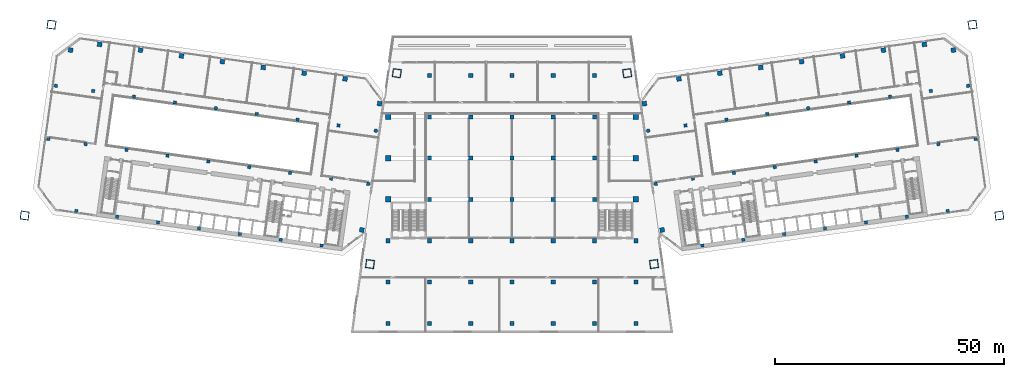
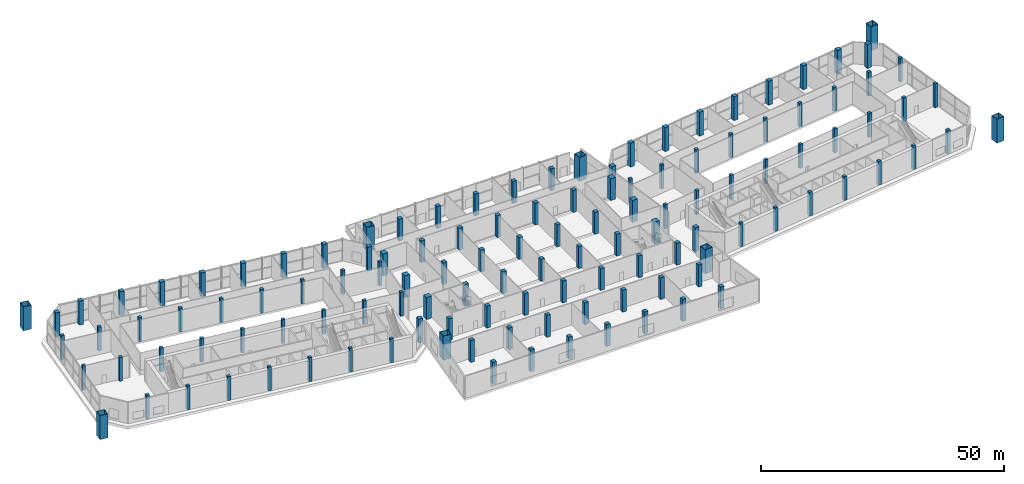
# One storey, part 1 of 24: 125 columns.
"""IFC4 building model written with IfcOpenShell, lengths in metres."""

from ifc_helpers import new_model, si_unit, direction, frame, origin, origin_2d, place, context, subcontext, project, spatial, rectangle, hollow_rectangle, extrude, material, material_profile, profile_set, type_object, element, save


model = new_model("IFC4")

# Units and contexts
model_context = context("Model", 3, precision=1e-05, world=origin(), true_north=direction((0.0, 1.0)))
body_context = subcontext(model_context, "Body", "Model", "MODEL_VIEW")
ifc_project = project(units=[si_unit("LENGTHUNIT", "METRE"), si_unit("AREAUNIT", "SQUARE_METRE"), si_unit("VOLUMEUNIT", "CUBIC_METRE"), si_unit("PLANEANGLEUNIT", "RADIAN"), si_unit("MASSUNIT", "GRAM", prefix="KILO")], contexts=[model_context])

# Site, building, storey
site_placement = place(None, origin())
site = spatial("IfcSite", under=ifc_project, at=site_placement, CompositionType="ELEMENT")
building_placement = place(site_placement, origin())
building = spatial("IfcBuilding", under=site, at=building_placement, Name="Mirante Cascada Hotel Towers", CompositionType="ELEMENT")
storey_placement = place(building_placement, frame((0.0, 0.0, 17.5)))
storey = spatial("IfcBuildingStorey", under=building, at=storey_placement, Name="L02", CompositionType="ELEMENT", Elevation=17.5)

# Columns
ifc_material_1 = material(Name="Steel ASTM A572 Gr 50", Category="steel")
ifc_material_profile_1 = material_profile(ifc_material_1, hollow_rectangle(XDim=1.8, YDim=1.8, WallThickness=0.08, at=origin_2d()), Name="Box column 1800x1800x80 ASTM A572 Gr 50")
ifc_profile_set_1 = profile_set([ifc_material_profile_1], Name="Steel ASTM A572 Gr 50")
column_type_1 = type_object("IfcColumnType", Name="Box column 1800x1800x80 ASTM A572 Gr 50", PredefinedType="COLUMN", material=ifc_profile_set_1)
for number, where, z_axis, x_axis, name in (
    (1, (-25.0968, 18.5173, 0.0), (0.0, 0.0, 1.0), (-0.9902681, 0.1391731, 0.0), "Mega column MC1 T1 L02"),
    (2, (-30.9421, -23.074, 0.0), (0.0, 0.0, 1.0), (-0.9902681, 0.1391731, 0.0), "Mega column MC2 T1 L02"),
    (3, (-100.3572, 29.0944, 0.0), (0.0, 0.0, 1.0), (-0.9902681, 0.1391731, 0.0), "Mega column MC3 T1 L02"),
    (4, (-106.2025, -12.4968, 0.0), (0.0, 0.0, 1.0), (-0.9902681, 0.1391731, 0.0), "Mega column MC4 T1 L02"),
    (5, (25.0968, 18.5173, 0.0), (0.0, 0.0, 1.0), (0.9902681, 0.1391731, 0.0), "Mega column MC1 T2 L02"),
    (6, (30.9421, -23.074, 0.0), (0.0, 0.0, 1.0), (0.9902681, 0.1391731, 0.0), "Mega column MC2 T2 L02"),
    (7, (100.3572, 29.0944, 0.0), (0.0, 0.0, 1.0), (0.9902681, 0.1391731, 0.0), "Mega column MC3 T2 L02"),
    (8, (106.2025, -12.4968, 0.0), (0.0, 0.0, 1.0), (0.9902681, 0.1391731, 0.0), "Mega column MC4 T2 L02"),
):
    element("IfcColumn", number, at=place(storey_placement, frame(where, z_axis=z_axis, x_axis=x_axis)), inside=storey, type_object=column_type_1, Name=name, PredefinedType="COLUMN", context=body_context, shape_type="SweptSolid", body=[
        extrude(hollow_rectangle(XDim=1.8, YDim=1.8, WallThickness=0.08, at=origin_2d()), origin(), (0.0, 0.0, 1.0), 6.0),
    ])
ifc_material_2 = material(Name="Concrete C50/60", Category="concrete")
ifc_material_profile_2 = material_profile(ifc_material_2, rectangle(XDim=1.2, YDim=1.2, at=origin_2d()), Name="RC 1200x1200")
ifc_profile_set_2 = profile_set([ifc_material_profile_2], Name="Concrete C50/60")
column_type_2 = type_object("IfcColumnType", Name="Column RC 1200x1200 C50/60", PredefinedType="COLUMN", material=ifc_profile_set_2)
for number, where, z_axis, x_axis, name in (
    (9, (-27.0, -9.0, 0.0), (0.0, 0.0, 1.0), (1.0, 0.0, 0.0), "col:P:L02:173"),
    (10, (27.0, -9.0, 0.0), (0.0, 0.0, 1.0), (1.0, 0.0, 0.0), "col:P:L02:216"),
    (11, (-27.0, 0.0, 0.0), (0.0, 0.0, 1.0), (1.0, 0.0, 0.0), "col:P:L02:224"),
    (12, (27.0, 0.0, 0.0), (0.0, 0.0, 1.0), (1.0, 0.0, 0.0), "col:P:L02:267"),
    (13, (-27.0, 9.0, 0.0), (0.0, 0.0, 1.0), (1.0, 0.0, 0.0), "col:P:L02:275"),
    (14, (27.0, 9.0, 0.0), (0.0, 0.0, 1.0), (1.0, 0.0, 0.0), "col:P:L02:306"),
):
    element("IfcColumn", number, at=place(storey_placement, frame(where, z_axis=z_axis, x_axis=x_axis)), inside=storey, type_object=column_type_2, Name=name, PredefinedType="COLUMN", context=body_context, shape_type="SweptSolid", body=[
        extrude(rectangle(XDim=1.2, YDim=1.2, at=origin_2d()), origin(), (0.0, 0.0, 1.0), 5.5),
    ])
ifc_material_3 = material(Name="Concrete C50/60", Category="concrete")
ifc_material_profile_3 = material_profile(ifc_material_3, rectangle(XDim=0.9, YDim=0.9, at=origin_2d()), Name="RC 900x900")
ifc_profile_set_3 = profile_set([ifc_material_profile_3], Name="Concrete C50/60")
column_type_3 = type_object("IfcColumnType", Name="Column RC 900x900 C50/60", PredefinedType="COLUMN", material=ifc_profile_set_3)
for number, where, z_axis, x_axis, name in (
    (15, (-27.0, -36.0, 0.0), (0.0, 0.0, 1.0), (1.0, 0.0, 0.0), "col:P:L02:5"),
    (16, (-18.0, -36.0, 0.0), (0.0, 0.0, 1.0), (1.0, 0.0, 0.0), "col:P:L02:13"),
    (17, (-9.0, -36.0, 0.0), (0.0, 0.0, 1.0), (1.0, 0.0, 0.0), "col:P:L02:21"),
    (18, (0.0, -36.0, 0.0), (0.0, 0.0, 1.0), (1.0, 0.0, 0.0), "col:P:L02:29"),
    (19, (9.0, -36.0, 0.0), (0.0, 0.0, 1.0), (1.0, 0.0, 0.0), "col:P:L02:37"),
    (20, (18.0, -36.0, 0.0), (0.0, 0.0, 1.0), (1.0, 0.0, 0.0), "col:P:L02:45"),
    (21, (27.0, -36.0, 0.0), (0.0, 0.0, 1.0), (1.0, 0.0, 0.0), "col:P:L02:53"),
    (22, (-27.0, -27.0, 0.0), (0.0, 0.0, 1.0), (1.0, 0.0, 0.0), "col:P:L02:61"),
    (23, (-18.0, -27.0, 0.0), (0.0, 0.0, 1.0), (1.0, 0.0, 0.0), "col:P:L02:69"),
    (24, (-9.0, -27.0, 0.0), (0.0, 0.0, 1.0), (1.0, 0.0, 0.0), "col:P:L02:77"),
    (25, (0.0, -27.0, 0.0), (0.0, 0.0, 1.0), (1.0, 0.0, 0.0), "col:P:L02:85"),
    (26, (9.0, -27.0, 0.0), (0.0, 0.0, 1.0), (1.0, 0.0, 0.0), "col:P:L02:93"),
    (27, (18.0, -27.0, 0.0), (0.0, 0.0, 1.0), (1.0, 0.0, 0.0), "col:P:L02:101"),
    (28, (27.0, -27.0, 0.0), (0.0, 0.0, 1.0), (1.0, 0.0, 0.0), "col:P:L02:109"),
    (29, (-27.0, -18.0, 0.0), (0.0, 0.0, 1.0), (1.0, 0.0, 0.0), "col:P:L02:117"),
    (30, (-18.0, -18.0, 0.0), (0.0, 0.0, 1.0), (1.0, 0.0, 0.0), "col:P:L02:125"),
    (31, (-9.0, -18.0, 0.0), (0.0, 0.0, 1.0), (1.0, 0.0, 0.0), "col:P:L02:133"),
    (32, (0.0, -18.0, 0.0), (0.0, 0.0, 1.0), (1.0, 0.0, 0.0), "col:P:L02:141"),
    (33, (9.0, -18.0, 0.0), (0.0, 0.0, 1.0), (1.0, 0.0, 0.0), "col:P:L02:149"),
    (34, (18.0, -18.0, 0.0), (0.0, 0.0, 1.0), (1.0, 0.0, 0.0), "col:P:L02:157"),
    (35, (27.0, -18.0, 0.0), (0.0, 0.0, 1.0), (1.0, 0.0, 0.0), "col:P:L02:165"),
    (36, (-18.0, -9.0, 0.0), (0.0, 0.0, 1.0), (1.0, 0.0, 0.0), "col:P:L02:180"),
    (37, (-9.0, -9.0, 0.0), (0.0, 0.0, 1.0), (1.0, 0.0, 0.0), "col:P:L02:187"),
    (38, (0.0, -9.0, 0.0), (0.0, 0.0, 1.0), (1.0, 0.0, 0.0), "col:P:L02:194"),
    (39, (9.0, -9.0, 0.0), (0.0, 0.0, 1.0), (1.0, 0.0, 0.0), "col:P:L02:201"),
    (40, (18.0, -9.0, 0.0), (0.0, 0.0, 1.0), (1.0, 0.0, 0.0), "col:P:L02:208"),
    (41, (-18.0, 0.0, 0.0), (0.0, 0.0, 1.0), (1.0, 0.0, 0.0), "col:P:L02:231"),
    (42, (-9.0, 0.0, 0.0), (0.0, 0.0, 1.0), (1.0, 0.0, 0.0), "col:P:L02:238"),
    (43, (0.0, 0.0, 0.0), (0.0, 0.0, 1.0), (1.0, 0.0, 0.0), "col:P:L02:245"),
    (44, (9.0, 0.0, 0.0), (0.0, 0.0, 1.0), (1.0, 0.0, 0.0), "col:P:L02:252"),
    (45, (18.0, 0.0, 0.0), (0.0, 0.0, 1.0), (1.0, 0.0, 0.0), "col:P:L02:259"),
    (46, (-18.0, 9.0, 0.0), (0.0, 0.0, 1.0), (1.0, 0.0, 0.0), "col:P:L02:280"),
    (47, (-9.0, 9.0, 0.0), (0.0, 0.0, 1.0), (1.0, 0.0, 0.0), "col:P:L02:285"),
    (48, (0.0, 9.0, 0.0), (0.0, 0.0, 1.0), (1.0, 0.0, 0.0), "col:P:L02:290"),
    (49, (9.0, 9.0, 0.0), (0.0, 0.0, 1.0), (1.0, 0.0, 0.0), "col:P:L02:295"),
    (50, (18.0, 9.0, 0.0), (0.0, 0.0, 1.0), (1.0, 0.0, 0.0), "col:P:L02:300"),
    (51, (-18.0, 18.0, 0.0), (0.0, 0.0, 1.0), (1.0, 0.0, 0.0), "col:P:L02:312"),
    (52, (-9.0, 18.0, 0.0), (0.0, 0.0, 1.0), (1.0, 0.0, 0.0), "col:P:L02:317"),
    (53, (0.0, 18.0, 0.0), (0.0, 0.0, 1.0), (1.0, 0.0, 0.0), "col:P:L02:322"),
    (54, (9.0, 18.0, 0.0), (0.0, 0.0, 1.0), (1.0, 0.0, 0.0), "col:P:L02:327"),
    (55, (18.0, 18.0, 0.0), (0.0, 0.0, 1.0), (1.0, 0.0, 0.0), "col:P:L02:332"),
):
    element("IfcColumn", number, at=place(storey_placement, frame(where, z_axis=z_axis, x_axis=x_axis)), inside=storey, type_object=column_type_3, Name=name, PredefinedType="COLUMN", context=body_context, shape_type="SweptSolid", body=[
        extrude(rectangle(XDim=0.9, YDim=0.9, at=origin_2d()), origin(), (0.0, 0.0, 1.0), 5.5),
    ])
ifc_material_4 = material(Name="Concrete C60/75", Category="concrete")
ifc_material_profile_4 = material_profile(ifc_material_4, rectangle(XDim=1.0, YDim=1.0, at=origin_2d()), Name="RC column 1000x1000 C60/75")
ifc_profile_set_4 = profile_set([ifc_material_profile_4], Name="Concrete C60/75")
column_type_4 = type_object("IfcColumnType", Name="RC column 1000x1000 C60/75", PredefinedType="COLUMN", material=ifc_profile_set_4)
for number, where, z_axis, x_axis, name in (
    (56, (-28.8577, 11.8761, 0.0), (0.0, 0.0, 1.0), (-0.9902681, 0.1391731, 0.0), "Column T1 L02 1"),
    (57, (-32.7267, -15.6534, 0.0), (0.0, 0.0, 1.0), (-0.9902681, 0.1391731, 0.0), "Column T1 L02 4"),
    (58, (-36.3795, 17.2754, 0.0), (0.0, 0.0, 1.0), (-0.9902681, 0.1391731, 0.0), "Column T1 L02 5"),
    (59, (-45.2919, 18.528, 0.0), (0.0, 0.0, 1.0), (-0.9902681, 0.1391731, 0.0), "Column T1 L02 9"),
    (60, (-54.2043, 19.7806, 0.0), (0.0, 0.0, 1.0), (-0.9902681, 0.1391731, 0.0), "Column T1 L02 13"),
    (61, (-63.1167, 21.0331, 0.0), (0.0, 0.0, 1.0), (-0.9902681, 0.1391731, 0.0), "Column T1 L02 17"),
    (62, (-72.0291, 22.2857, 0.0), (0.0, 0.0, 1.0), (-0.9902681, 0.1391731, 0.0), "Column T1 L02 21"),
    (63, (-80.9415, 23.5382, 0.0), (0.0, 0.0, 1.0), (-0.9902681, 0.1391731, 0.0), "Column T1 L02 25"),
    (64, (-89.8539, 24.7908, 0.0), (0.0, 0.0, 1.0), (-0.9902681, 0.1391731, 0.0), "Column T1 L02 29"),
    (65, (-96.1868, 23.5602, 0.0), (0.0, 0.0, 1.0), (-0.9902681, 0.1391731, 0.0), "Column T1 L02 33"),
    (66, (28.8577, 11.8761, 0.0), (0.0, 0.0, 1.0), (0.9902681, 0.1391731, 0.0), "Column T2 L02 1"),
    (67, (32.7267, -15.6534, 0.0), (0.0, 0.0, 1.0), (0.9902681, 0.1391731, 0.0), "Column T2 L02 4"),
    (68, (36.3795, 17.2754, 0.0), (0.0, 0.0, 1.0), (0.9902681, 0.1391731, 0.0), "Column T2 L02 5"),
    (69, (45.2919, 18.528, 0.0), (0.0, 0.0, 1.0), (0.9902681, 0.1391731, 0.0), "Column T2 L02 9"),
    (70, (54.2043, 19.7806, 0.0), (0.0, 0.0, 1.0), (0.9902681, 0.1391731, 0.0), "Column T2 L02 13"),
    (71, (63.1167, 21.0331, 0.0), (0.0, 0.0, 1.0), (0.9902681, 0.1391731, 0.0), "Column T2 L02 17"),
    (72, (72.0291, 22.2857, 0.0), (0.0, 0.0, 1.0), (0.9902681, 0.1391731, 0.0), "Column T2 L02 21"),
    (73, (80.9415, 23.5382, 0.0), (0.0, 0.0, 1.0), (0.9902681, 0.1391731, 0.0), "Column T2 L02 25"),
    (74, (89.8539, 24.7908, 0.0), (0.0, 0.0, 1.0), (0.9902681, 0.1391731, 0.0), "Column T2 L02 29"),
    (75, (96.1868, 23.5602, 0.0), (0.0, 0.0, 1.0), (0.9902681, 0.1391731, 0.0), "Column T2 L02 33"),
):
    element("IfcColumn", number, at=place(storey_placement, frame(where, z_axis=z_axis, x_axis=x_axis)), inside=storey, type_object=column_type_4, Name=name, PredefinedType="COLUMN", context=body_context, shape_type="SweptSolid", body=[
        extrude(rectangle(XDim=1.0, YDim=1.0, at=origin_2d()), origin(), (0.0, 0.0, 1.0), 6.0),
    ])
ifc_material_5 = material(Name="Concrete C60/75", Category="concrete")
ifc_material_profile_5 = material_profile(ifc_material_5, rectangle(XDim=0.7, YDim=0.7, at=origin_2d()), Name="RC column 700x700 C60/75")
ifc_profile_set_5 = profile_set([ifc_material_profile_5], Name="Concrete C60/75")
column_type_5 = type_object("IfcColumnType", Name="RC column 700x700 C60/75", PredefinedType="COLUMN", material=ifc_profile_set_5)
for number, where, z_axis, x_axis, name in (
    (76, (-29.6858, 5.984, 0.0), (0.0, 0.0, 1.0), (-0.9902681, 0.1391731, 0.0), "Column T1 L02 2"),
    (77, (-31.3141, -5.6022, 0.0), (0.0, 0.0, 1.0), (-0.9902681, 0.1391731, 0.0), "Column T1 L02 3"),
    (78, (-37.806, 7.1252, 0.0), (0.0, 0.0, 1.0), (-0.9902681, 0.1391731, 0.0), "Column T1 L02 6"),
    (79, (-39.4343, -4.4609, 0.0), (0.0, 0.0, 1.0), (-0.9902681, 0.1391731, 0.0), "Column T1 L02 7"),
    (80, (-41.4802, -19.0179, 0.0), (0.0, 0.0, 1.0), (-0.9902681, 0.1391731, 0.0), "Column T1 L02 8"),
    (81, (-46.7184, 8.3777, 0.0), (0.0, 0.0, 1.0), (-0.9902681, 0.1391731, 0.0), "Column T1 L02 10"),
    (82, (-48.3467, -3.2084, 0.0), (0.0, 0.0, 1.0), (-0.9902681, 0.1391731, 0.0), "Column T1 L02 11"),
    (83, (-50.3926, -17.7653, 0.0), (0.0, 0.0, 1.0), (-0.9902681, 0.1391731, 0.0), "Column T1 L02 12"),
    (84, (-55.6308, 9.6303, 0.0), (0.0, 0.0, 1.0), (-0.9902681, 0.1391731, 0.0), "Column T1 L02 14"),
    (85, (-57.2591, -1.9558, 0.0), (0.0, 0.0, 1.0), (-0.9902681, 0.1391731, 0.0), "Column T1 L02 15"),
    (86, (-59.305, -16.5128, 0.0), (0.0, 0.0, 1.0), (-0.9902681, 0.1391731, 0.0), "Column T1 L02 16"),
    (87, (-64.5432, 10.8829, 0.0), (0.0, 0.0, 1.0), (-0.9902681, 0.1391731, 0.0), "Column T1 L02 18"),
    (88, (-66.1716, -0.7033, 0.0), (0.0, 0.0, 1.0), (-0.9902681, 0.1391731, 0.0), "Column T1 L02 19"),
    (89, (-68.2174, -15.2602, 0.0), (0.0, 0.0, 1.0), (-0.9902681, 0.1391731, 0.0), "Column T1 L02 20"),
    (90, (-73.4556, 12.1354, 0.0), (0.0, 0.0, 1.0), (-0.9902681, 0.1391731, 0.0), "Column T1 L02 22"),
    (91, (-75.084, 0.5493, 0.0), (0.0, 0.0, 1.0), (-0.9902681, 0.1391731, 0.0), "Column T1 L02 23"),
    (92, (-77.1298, -14.0077, 0.0), (0.0, 0.0, 1.0), (-0.9902681, 0.1391731, 0.0), "Column T1 L02 24"),
    (93, (-82.368, 13.388, 0.0), (0.0, 0.0, 1.0), (-0.9902681, 0.1391731, 0.0), "Column T1 L02 26"),
    (94, (-83.9964, 1.8018, 0.0), (0.0, 0.0, 1.0), (-0.9902681, 0.1391731, 0.0), "Column T1 L02 27"),
    (95, (-86.0422, -12.7551, 0.0), (0.0, 0.0, 1.0), (-0.9902681, 0.1391731, 0.0), "Column T1 L02 28"),
    (96, (-91.2805, 14.6405, 0.0), (0.0, 0.0, 1.0), (-0.9902681, 0.1391731, 0.0), "Column T1 L02 30"),
    (97, (-92.9088, 3.0544, 0.0), (0.0, 0.0, 1.0), (-0.9902681, 0.1391731, 0.0), "Column T1 L02 31"),
    (98, (-94.9546, -11.5025, 0.0), (0.0, 0.0, 1.0), (-0.9902681, 0.1391731, 0.0), "Column T1 L02 32"),
    (99, (-99.4007, 15.7818, 0.0), (0.0, 0.0, 1.0), (-0.9902681, 0.1391731, 0.0), "Column T1 L02 34"),
    (100, (-101.029, 4.1956, 0.0), (0.0, 0.0, 1.0), (-0.9902681, 0.1391731, 0.0), "Column T1 L02 35"),
    (101, (29.6858, 5.984, 0.0), (0.0, 0.0, 1.0), (0.9902681, 0.1391731, 0.0), "Column T2 L02 2"),
    (102, (31.3141, -5.6022, 0.0), (0.0, 0.0, 1.0), (0.9902681, 0.1391731, 0.0), "Column T2 L02 3"),
    (103, (37.806, 7.1252, 0.0), (0.0, 0.0, 1.0), (0.9902681, 0.1391731, 0.0), "Column T2 L02 6"),
    (104, (39.4343, -4.4609, 0.0), (0.0, 0.0, 1.0), (0.9902681, 0.1391731, 0.0), "Column T2 L02 7"),
    (105, (41.4802, -19.0179, 0.0), (0.0, 0.0, 1.0), (0.9902681, 0.1391731, 0.0), "Column T2 L02 8"),
    (106, (46.7184, 8.3777, 0.0), (0.0, 0.0, 1.0), (0.9902681, 0.1391731, 0.0), "Column T2 L02 10"),
    (107, (48.3467, -3.2084, 0.0), (0.0, 0.0, 1.0), (0.9902681, 0.1391731, 0.0), "Column T2 L02 11"),
    (108, (50.3926, -17.7653, 0.0), (0.0, 0.0, 1.0), (0.9902681, 0.1391731, 0.0), "Column T2 L02 12"),
    (109, (55.6308, 9.6303, 0.0), (0.0, 0.0, 1.0), (0.9902681, 0.1391731, 0.0), "Column T2 L02 14"),
    (110, (57.2591, -1.9558, 0.0), (0.0, 0.0, 1.0), (0.9902681, 0.1391731, 0.0), "Column T2 L02 15"),
    (111, (59.305, -16.5128, 0.0), (0.0, 0.0, 1.0), (0.9902681, 0.1391731, 0.0), "Column T2 L02 16"),
    (112, (64.5432, 10.8829, 0.0), (0.0, 0.0, 1.0), (0.9902681, 0.1391731, 0.0), "Column T2 L02 18"),
    (113, (66.1716, -0.7033, 0.0), (0.0, 0.0, 1.0), (0.9902681, 0.1391731, 0.0), "Column T2 L02 19"),
    (114, (68.2174, -15.2602, 0.0), (0.0, 0.0, 1.0), (0.9902681, 0.1391731, 0.0), "Column T2 L02 20"),
    (115, (73.4556, 12.1354, 0.0), (0.0, 0.0, 1.0), (0.9902681, 0.1391731, 0.0), "Column T2 L02 22"),
    (116, (75.084, 0.5493, 0.0), (0.0, 0.0, 1.0), (0.9902681, 0.1391731, 0.0), "Column T2 L02 23"),
    (117, (77.1298, -14.0077, 0.0), (0.0, 0.0, 1.0), (0.9902681, 0.1391731, 0.0), "Column T2 L02 24"),
    (118, (82.368, 13.388, 0.0), (0.0, 0.0, 1.0), (0.9902681, 0.1391731, 0.0), "Column T2 L02 26"),
    (119, (83.9964, 1.8018, 0.0), (0.0, 0.0, 1.0), (0.9902681, 0.1391731, 0.0), "Column T2 L02 27"),
    (120, (86.0422, -12.7551, 0.0), (0.0, 0.0, 1.0), (0.9902681, 0.1391731, 0.0), "Column T2 L02 28"),
    (121, (91.2805, 14.6405, 0.0), (0.0, 0.0, 1.0), (0.9902681, 0.1391731, 0.0), "Column T2 L02 30"),
    (122, (92.9088, 3.0544, 0.0), (0.0, 0.0, 1.0), (0.9902681, 0.1391731, 0.0), "Column T2 L02 31"),
    (123, (94.9546, -11.5025, 0.0), (0.0, 0.0, 1.0), (0.9902681, 0.1391731, 0.0), "Column T2 L02 32"),
    (124, (99.4007, 15.7818, 0.0), (0.0, 0.0, 1.0), (0.9902681, 0.1391731, 0.0), "Column T2 L02 34"),
    (125, (101.029, 4.1956, 0.0), (0.0, 0.0, 1.0), (0.9902681, 0.1391731, 0.0), "Column T2 L02 35"),
):
    element("IfcColumn", number, at=place(storey_placement, frame(where, z_axis=z_axis, x_axis=x_axis)), inside=storey, type_object=column_type_5, Name=name, PredefinedType="COLUMN", context=body_context, shape_type="SweptSolid", body=[
        extrude(rectangle(XDim=0.7, YDim=0.7, at=origin_2d()), origin(), (0.0, 0.0, 1.0), 6.0),
    ])

save(model, "model.ifc")
